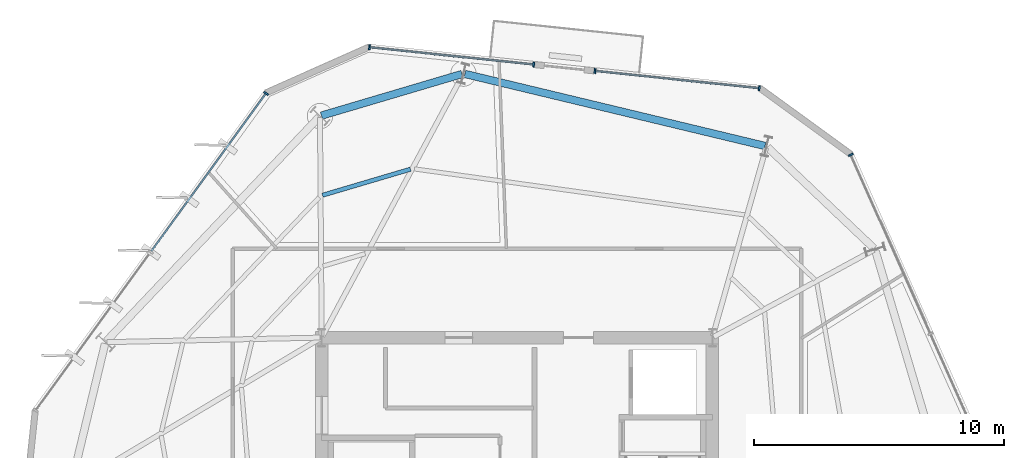
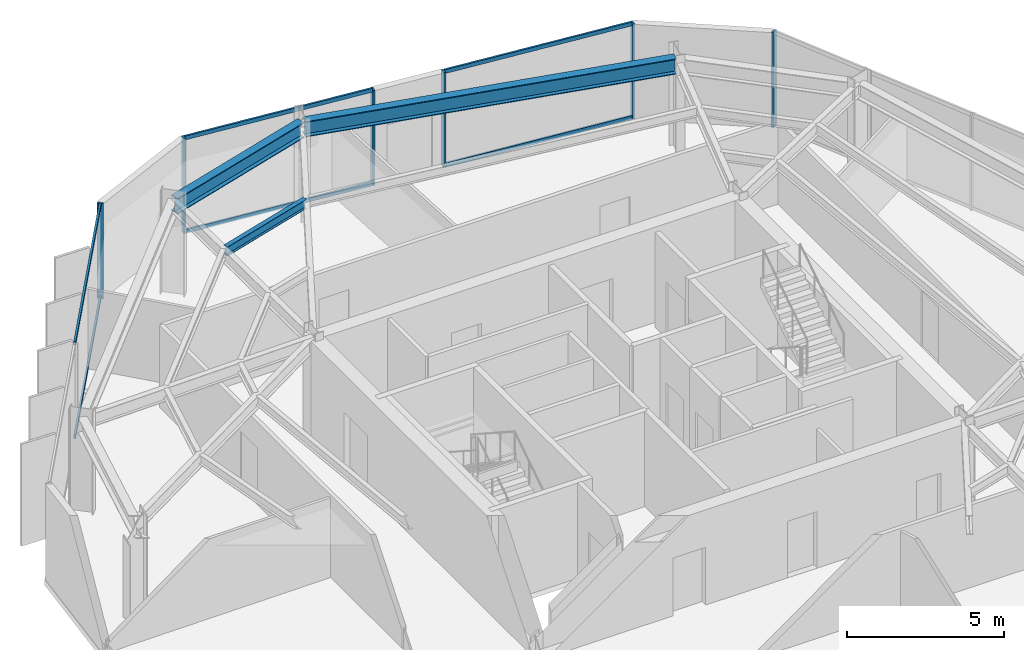
# One storey, part 6 of 12: 12 members, 3 beams, 4 elements without a shape of their own.
"""IFC4 building model written with IfcOpenShell, lengths in metres."""

from ifc_helpers import new_model, si_unit, direction, frame, origin, origin_2d, place, context, subcontext, project, spatial, rectangle, i_section, extrude, material, layer, layer_set, material_profile, profile_set, type_object, element, aggregate, save


model = new_model("IFC4")

# Units and contexts
model_context = context("Model", 3, precision=1e-05, world=origin(), true_north=direction((0.0, 1.0)))
body_context = subcontext(model_context, "Body", "Model", "MODEL_VIEW")
ifc_project = project(units=[si_unit("LENGTHUNIT", "METRE"), si_unit("AREAUNIT", "SQUARE_METRE"), si_unit("VOLUMEUNIT", "CUBIC_METRE"), si_unit("PLANEANGLEUNIT", "RADIAN"), si_unit("MASSUNIT", "GRAM", prefix="KILO")], contexts=[model_context])

# Site, building, storey
site_placement = place(None, origin())
site = spatial("IfcSite", under=ifc_project, at=site_placement, CompositionType="ELEMENT")
building_placement = place(site_placement, origin())
building = spatial("IfcBuilding", under=site, at=building_placement, Name="Kranzbogen Civic Tower", CompositionType="ELEMENT")
storey_placement = place(building_placement, frame((0.0, 0.0, 240.800048828125)))
storey = spatial("IfcBuildingStorey", under=building, at=storey_placement, Name="L58", CompositionType="ELEMENT", Elevation=240.800048828125)

# Curtain wall, members
ifc_material_1 = material(Name="Pale Anodised Aluminium", Category="aluminium")
ifc_layer = layer(ifc_material_1, 0.219970703125, Name="Pale Anodised Aluminium")
ifc_layer_set = layer_set([ifc_layer], Name="Pale Anodised Aluminium")
curtain_wall_type = type_object("IfcCurtainWallType", Name="Zone 3 Stick Curtain Wall System CW-04", PredefinedType="USERDEFINED", material=ifc_layer_set)
curtain_wall_1_placement = place(storey_placement, origin())
curtain_wall_1 = element("IfcCurtainWall", 1, at=curtain_wall_1_placement, inside=storey, type_object=curtain_wall_type, Name="L58 curtain wall CW-L58-F1-S1", ObjectType="STICK CURTAIN WALL", PredefinedType="USERDEFINED")
ifc_material_profile_1 = material_profile(ifc_material_1, rectangle(XDim=0.070068359375, YDim=0.199951171875, at=origin_2d()), Name="ALU-M 70x200")
ifc_profile_set_1 = profile_set([ifc_material_profile_1], Name="Pale Anodised Aluminium")
member_type_1 = type_object("IfcMemberType", Name="Curtain Wall Mullion ALU-M 70x200", PredefinedType="MULLION", material=ifc_profile_set_1)
member_1_placement = place(storey_placement, frame((34.670166015625, 42.155029296875, 0.0), z_axis=(0.0, 0.0, 1.0), x_axis=(-0.994530949802, 0.104442280164, 0.0)))
member_1 = element("IfcMember", 2, at=member_1_placement, type_object=member_type_1, Name="CW-04 mullion 1", PredefinedType="MULLION", context=body_context, shape_type="SweptSolid", body=[
    extrude(rectangle(XDim=0.070068359375, YDim=0.199951171875, at=origin_2d()), origin(), (0.0, 0.0, 1.0), 3.699951171875),
])
member_2_placement = place(storey_placement, frame((28.11181640625, 42.84375, 0.0), z_axis=(0.0, 0.0, 1.0), x_axis=(-0.994530949802, 0.104442280164, 0.0)))
member_2 = element("IfcMember", 3, at=member_2_placement, type_object=member_type_1, Name="CW-04 mullion 2", PredefinedType="MULLION", context=body_context, shape_type="SweptSolid", body=[
    extrude(rectangle(XDim=0.070068359375, YDim=0.199951171875, at=origin_2d()), origin(), (0.0, 0.0, 1.0), 3.699951171875),
])

curtain_wall_2_placement = place(storey_placement, origin())
curtain_wall_2 = element("IfcCurtainWall", 4, at=curtain_wall_2_placement, inside=storey, type_object=curtain_wall_type, Name="L58 curtain wall CW-L58-F1-S2", ObjectType="STICK CURTAIN WALL", PredefinedType="USERDEFINED")
member_3_placement = place(storey_placement, frame((25.665283203125, 43.10107421875, 0.0), z_axis=(0.0, 0.0, 1.0), x_axis=(-0.994529310189, 0.104457891879, 0.0)))
member_3 = element("IfcMember", 5, at=member_3_placement, type_object=member_type_1, Name="CW-04 mullion 1", PredefinedType="MULLION", context=body_context, shape_type="SweptSolid", body=[
    extrude(rectangle(XDim=0.070068359375, YDim=0.199951171875, at=origin_2d()), origin(), (0.0, 0.0, 1.0), 3.699951171875),
])
member_4_placement = place(storey_placement, frame((19.10791015625, 43.789794921875, 0.0), z_axis=(0.0, 0.0, 1.0), x_axis=(-0.994529310189, 0.104457891879, 0.0)))
member_4 = element("IfcMember", 6, at=member_4_placement, type_object=member_type_1, Name="CW-04 mullion 2", PredefinedType="MULLION", context=body_context, shape_type="SweptSolid", body=[
    extrude(rectangle(XDim=0.070068359375, YDim=0.199951171875, at=origin_2d()), origin(), (0.0, 0.0, 1.0), 3.699951171875),
])

# Curtain wall, member
curtain_wall_3_placement = place(storey_placement, origin())
curtain_wall_3 = element("IfcCurtainWall", 7, at=curtain_wall_3_placement, inside=storey, type_object=curtain_wall_type, Name="L58 curtain wall CW-L58-F2", ObjectType="STICK CURTAIN WALL", PredefinedType="USERDEFINED")
member_5_placement = place(storey_placement, frame((14.978271484375, 41.95166015625, 0.0), z_axis=(0.0, 0.0, 1.0), x_axis=(-0.587777922218, -0.809022319935, 0.0)))
member_5 = element("IfcMember", 8, at=member_5_placement, type_object=member_type_1, Name="CW-04 mullion 1", PredefinedType="MULLION", context=body_context, shape_type="SweptSolid", body=[
    extrude(rectangle(XDim=0.070068359375, YDim=0.199951171875, at=origin_2d()), origin(), (0.0, 0.0, 1.0), 3.699951171875),
])

curtain_wall_4_placement = place(storey_placement, origin())
curtain_wall_4 = element("IfcCurtainWall", 9, at=curtain_wall_4_placement, inside=storey, type_object=curtain_wall_type, Name="L58 curtain wall CW-L58-F6", ObjectType="STICK CURTAIN WALL", PredefinedType="USERDEFINED")
member_6_placement = place(storey_placement, frame((38.326171875, 39.49755859375, 0.0), z_axis=(0.0, 0.0, 1.0), x_axis=(-0.406811748243, 0.913512014968, 0.0)))
member_6 = element("IfcMember", 10, at=member_6_placement, type_object=member_type_1, Name="CW-04 mullion 3", PredefinedType="MULLION", context=body_context, shape_type="SweptSolid", body=[
    extrude(rectangle(XDim=0.070068359375, YDim=0.199951171875, at=origin_2d()), origin(), (0.0, 0.0, 1.0), 3.699951171875),
])
aggregate(curtain_wall_4, [member_6])

# Member
ifc_material_profile_2 = material_profile(ifc_material_1, rectangle(XDim=0.070068359375, YDim=0.14990234375, at=origin_2d()), Name="ALU-T 70x150")
ifc_profile_set_2 = profile_set([ifc_material_profile_2], Name="Pale Anodised Aluminium")
member_type_2 = type_object("IfcMemberType", Name="Curtain Wall Transom ALU-T 70x150", PredefinedType="USERDEFINED", material=ifc_profile_set_2)
member_7_placement = place(storey_placement, frame((34.640380859375, 42.158203125, 0.030029296875), z_axis=(-0.99452876642, 0.104463068895, 0.0), x_axis=(-0.104463068895, -0.99452876642, 0.0)))
member_7 = element("IfcMember", 11, at=member_7_placement, type_object=member_type_2, Name="CW-04 transom 1.1", ObjectType="TRANSOM", PredefinedType="USERDEFINED", context=body_context, shape_type="SweptSolid", body=[
    extrude(rectangle(XDim=0.070068359375, YDim=0.14990234375, at=origin_2d()), origin(), (0.0, 0.0, 1.0), 6.534423828125),
])

member_8_placement = place(storey_placement, frame((34.640380859375, 42.158203125, 3.669921875), z_axis=(-0.99452876642, 0.104463068895, 0.0), x_axis=(-0.104463068895, -0.99452876642, 0.0)))
member_8 = element("IfcMember", 12, at=member_8_placement, type_object=member_type_2, Name="CW-04 transom 1.2", ObjectType="TRANSOM", PredefinedType="USERDEFINED", context=body_context, shape_type="SweptSolid", body=[
    extrude(rectangle(XDim=0.070068359375, YDim=0.14990234375, at=origin_2d()), origin(), (0.0, 0.0, 1.0), 6.534423828125),
])

aggregate(curtain_wall_1, [member_1, member_2, member_7, member_8])

member_9_placement = place(storey_placement, frame((25.63525390625, 43.104248046875, 0.030029296875), z_axis=(-0.994530609621, 0.104445519422, 0.0), x_axis=(-0.104445519422, -0.994530609621, 0.0)))
member_9 = element("IfcMember", 13, at=member_9_placement, type_object=member_type_2, Name="CW-04 transom 1.1", ObjectType="TRANSOM", PredefinedType="USERDEFINED", context=body_context, shape_type="SweptSolid", body=[
    extrude(rectangle(XDim=0.070068359375, YDim=0.14990234375, at=origin_2d()), origin(), (0.0, 0.0, 1.0), 6.533203125),
])

member_10_placement = place(storey_placement, frame((25.63525390625, 43.104248046875, 3.669921875), z_axis=(-0.994530609621, 0.104445519422, 0.0), x_axis=(-0.104445519422, -0.994530609621, 0.0)))
member_10 = element("IfcMember", 14, at=member_10_placement, type_object=member_type_2, Name="CW-04 transom 1.2", ObjectType="TRANSOM", PredefinedType="USERDEFINED", context=body_context, shape_type="SweptSolid", body=[
    extrude(rectangle(XDim=0.070068359375, YDim=0.14990234375, at=origin_2d()), origin(), (0.0, 0.0, 1.0), 6.533203125),
])

aggregate(curtain_wall_2, [member_3, member_4, member_9, member_10])

member_11_placement = place(storey_placement, frame((14.960693359375, 41.927490234375, 0.030029296875), z_axis=(-0.587763988283, -0.809032443155, 0.0), x_axis=(0.809032443155, -0.587763988283, 0.0)))
member_11 = element("IfcMember", 15, at=member_11_placement, type_object=member_type_2, Name="CW-04 transom 1.1", ObjectType="TRANSOM", PredefinedType="USERDEFINED", context=body_context, shape_type="SweptSolid", body=[
    extrude(rectangle(XDim=0.070068359375, YDim=0.14990234375, at=origin_2d()), origin(), (0.0, 0.0, 1.0), 7.76318359375),
])

member_12_placement = place(storey_placement, frame((14.960693359375, 41.927490234375, 3.669921875), z_axis=(-0.587763988283, -0.809032443155, 0.0), x_axis=(0.809032443155, -0.587763988283, 0.0)))
member_12 = element("IfcMember", 16, at=member_12_placement, type_object=member_type_2, Name="CW-04 transom 1.2", ObjectType="TRANSOM", PredefinedType="USERDEFINED", context=body_context, shape_type="SweptSolid", body=[
    extrude(rectangle(XDim=0.070068359375, YDim=0.14990234375, at=origin_2d()), origin(), (0.0, 0.0, 1.0), 7.76318359375),
])

aggregate(curtain_wall_3, [member_5, member_11, member_12])

# Beams
ifc_material_2 = material(Name="Steel S355", Category="steel")
ifc_material_profile_3 = material_profile(ifc_material_2, i_section(OverallWidth=0.300048828125, OverallDepth=0.60009765625, WebThickness=0.015380859375, FlangeThickness=0.030029296875, at=origin_2d()), Name="HEB 600")
ifc_profile_set_3 = profile_set([ifc_material_profile_3], Name="Steel S355")
beam_type_1 = type_object("IfcBeamType", Name="Perimeter Tube Spandrel Beam HEB 600", PredefinedType="SPANDREL", material=ifc_profile_set_3)
beam_1_placement = place(storey_placement, frame((34.903076171875, 39.84912109375, 3.39990234375), z_axis=(-0.972377592092, 0.233413406637, 0.0), x_axis=(-0.233413406637, -0.972377592092, 0.0)))
element("IfcBeam", 17, at=beam_1_placement, inside=storey, type_object=beam_type_1, Name="L58 perimeter spandrel beam 08", PredefinedType="SPANDREL", context=body_context, shape_type="SweptSolid", body=[
    extrude(i_section(OverallWidth=0.300048828125, OverallDepth=0.60009765625, WebThickness=0.015380859375, FlangeThickness=0.030029296875, at=origin_2d()), origin(), (0.0, 0.0, 1.0), 12.32568359375),
])
beam_2_placement = place(storey_placement, frame((22.802001953125, 42.722900390625, 3.39990234375), z_axis=(-0.9588296723, -0.283981794341, 0.0), x_axis=(0.283981794341, -0.9588296723, 0.0)))
element("IfcBeam", 18, at=beam_2_placement, inside=storey, type_object=beam_type_1, Name="L58 perimeter spandrel beam 09", PredefinedType="SPANDREL", context=body_context, shape_type="SweptSolid", body=[
    extrude(i_section(OverallWidth=0.300048828125, OverallDepth=0.60009765625, WebThickness=0.015380859375, FlangeThickness=0.030029296875, at=origin_2d()), origin(), (0.0, 0.0, 1.0), 5.85205078125),
])
ifc_material_profile_4 = material_profile(ifc_material_2, i_section(OverallWidth=0.169921875, OverallDepth=0.360107421875, WebThickness=0.008056640625, FlangeThickness=0.0126953125, at=origin_2d()), Name="IPE 360")
ifc_profile_set_4 = profile_set([ifc_material_profile_4], Name="Steel S355")
beam_type_2 = type_object("IfcBeamType", Name="Secondary Composite Floor Joist IPE 360", PredefinedType="JOIST", material=ifc_profile_set_4)
beam_3_placement = place(storey_placement, frame((20.74609375, 38.923095703125, 3.52001953125), z_axis=(-0.958843823165, -0.283934011309, 0.0), x_axis=(0.283934011309, -0.958843823165, 0.0)))
element("IfcBeam", 19, at=beam_3_placement, inside=storey, type_object=beam_type_2, Name="L58 secondary floor joist 1.09", PredefinedType="JOIST", context=body_context, shape_type="SweptSolid", body=[
    extrude(i_section(OverallWidth=0.169921875, OverallDepth=0.360107421875, WebThickness=0.008056640625, FlangeThickness=0.0126953125, at=origin_2d()), origin(), (0.0, 0.0, 1.0), 3.662841796875),
])

save(model, "model.ifc")
